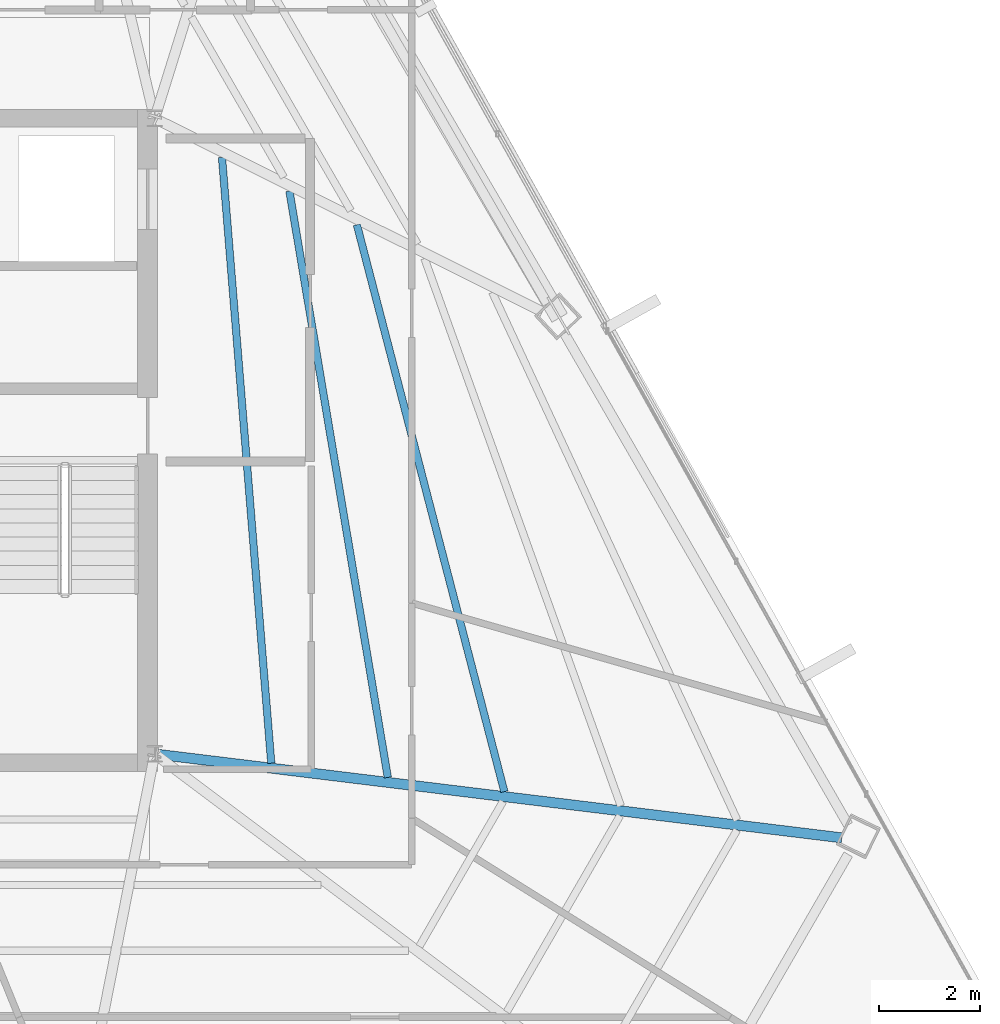
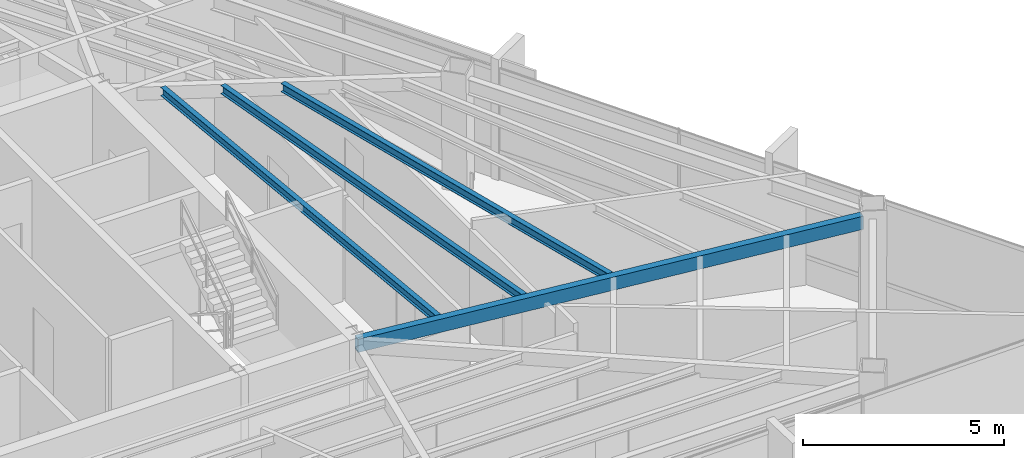
# One storey, part 22 of 45: 4 beams.
"""IFC4 building model written with IfcOpenShell, lengths in metres."""

from ifc_helpers import new_model, si_unit, direction, frame, origin, origin_2d, place, context, subcontext, project, spatial, hollow_rectangle, i_section, extrude, source, transform, mapped, material, material_profile, profile_set, type_object, type_shapes, element, save


model = new_model("IFC4")

# Units and contexts
model_context = context("Model", 3, precision=1e-05, world=origin(), true_north=direction((0.0, 1.0)))
body_context = subcontext(model_context, "Body", "Model", "MODEL_VIEW")
ifc_project = project(units=[si_unit("LENGTHUNIT", "METRE"), si_unit("AREAUNIT", "SQUARE_METRE"), si_unit("VOLUMEUNIT", "CUBIC_METRE"), si_unit("PLANEANGLEUNIT", "RADIAN"), si_unit("MASSUNIT", "GRAM", prefix="KILO")], contexts=[model_context])

# Site, building, storey
site_placement = place(None, origin())
site = spatial("IfcSite", under=ifc_project, at=site_placement, CompositionType="ELEMENT")
building_placement = place(site_placement, origin())
building = spatial("IfcBuilding", under=site, at=building_placement, Name="Caelisora Broadcast Tower", CompositionType="ELEMENT")
storey_placement = place(building_placement, frame((0.0, 0.0, 266.35009765625)))
storey = spatial("IfcBuildingStorey", under=building, at=storey_placement, Name="L70", CompositionType="ELEMENT", Elevation=266.35009765625)

# Beams
ifc_material_1 = material(Name="Steel Grade 350 (AS/NZS 1163 C350L0)", Category="steel")
ifc_material_profile_1 = material_profile(ifc_material_1, hollow_rectangle(XDim=0.199951171875, YDim=0.39990234375, WallThickness=0.012451171875, at=origin_2d()), Name="Steel Grade 350 (AS/NZS 1163 C350L0)")
ifc_profile_set_1 = profile_set([ifc_material_profile_1], Name="Steel Grade 350 (AS/NZS 1163 C350L0)")
beam_type_1 = type_object("IfcBeamType", Name="PG07", PredefinedType="BEAM", material=ifc_profile_set_1)
shared_shape_1 = source(origin(), body_context, "Body", "SweptSolid", [
    extrude(hollow_rectangle(XDim=0.199951171875, YDim=0.39990234375, WallThickness=0.012451171875, at=origin_2d()), origin(), (0.0, 0.0, 1.0), 13.66357421875),
])
type_shapes(beam_type_1, [shared_shape_1])
beam_1_placement = place(storey_placement, frame((45.5595703125, 17.392578125, 3.199951171875), z_axis=(0.992623866495, -0.121234729613, 0.0), x_axis=(0.121234729613, 0.992623866495, 0.0)))
element("IfcBeam", 1, at=beam_1_placement, inside=storey, type_object=beam_type_1, Name="L70 beam PG07", PredefinedType="BEAM", context=body_context, shape_type="MappedRepresentation", body=[
    mapped(shared_shape_1, transform((0.0, 0.0, 0.0), scale=1.0)),
])
ifc_material_2 = material(Name="Steel Grade 350 (AS/NZS 3679.1)", Category="steel")
ifc_material_profile_2 = material_profile(ifc_material_2, i_section(OverallWidth=0.14599609375, OverallDepth=0.256103515625, WebThickness=0.00634765625, FlangeThickness=0.010986328125, at=origin_2d()), Name="Steel Grade 350 (AS/NZS 3679.1)")
ifc_profile_set_2 = profile_set([ifc_material_profile_2], Name="Steel Grade 350 (AS/NZS 3679.1)")
beam_type_2 = type_object("IfcBeamType", Name="SB04", PredefinedType="JOIST", material=ifc_profile_set_2)
shared_shape_2 = source(origin(), body_context, "Body", "SweptSolid", [
    extrude(i_section(OverallWidth=0.14599609375, OverallDepth=0.256103515625, WebThickness=0.00634765625, FlangeThickness=0.010986328125, at=origin_2d()), origin(), (0.0, 0.0, 1.0), 12.04931640625),
])
beam_2_placement = place(storey_placement, frame((47.8115234375, 17.215576171875, 3.271728515625), z_axis=(-0.081066666012, 0.996708681442, 0.0), x_axis=(-0.996708681442, -0.081066666012, 0.0)))
element("IfcBeam", 2, at=beam_2_placement, inside=storey, type_object=beam_type_2, Name="L70 beam SB04", PredefinedType="JOIST", context=body_context, shape_type="MappedRepresentation", body=[
    mapped(shared_shape_2, transform((0.0, 0.0, 0.0), scale=1.0)),
])
shared_shape_3 = source(origin(), body_context, "Body", "SweptSolid", [
    extrude(i_section(OverallWidth=0.14599609375, OverallDepth=0.256103515625, WebThickness=0.00634765625, FlangeThickness=0.010986328125, at=origin_2d()), origin(), (0.0, 0.0, 1.0), 11.787841796875),
])
beam_3_placement = place(storey_placement, frame((50.12255859375, 16.933349609375, 3.271728515625), z_axis=(-0.165564290043, 0.986198999119, 0.0), x_axis=(-0.986198999119, -0.165564290043, 0.0)))
element("IfcBeam", 3, at=beam_3_placement, inside=storey, type_object=beam_type_2, Name="L70 beam SB04", PredefinedType="JOIST", context=body_context, shape_type="MappedRepresentation", body=[
    mapped(shared_shape_3, transform((0.0, 0.0, 0.0), scale=1.0)),
])
shared_shape_4 = source(origin(), body_context, "Body", "SweptSolid", [
    extrude(i_section(OverallWidth=0.14599609375, OverallDepth=0.256103515625, WebThickness=0.00634765625, FlangeThickness=0.010986328125, at=origin_2d()), origin(), (0.0, 0.0, 1.0), 11.61376953125),
])
type_shapes(beam_type_2, [shared_shape_2, shared_shape_3, shared_shape_4])
beam_4_placement = place(storey_placement, frame((52.4326171875, 16.651123046875, 3.271728515625), z_axis=(-0.251754355646, 0.96779116777, 0.0), x_axis=(-0.96779116777, -0.251754355646, 0.0)))
element("IfcBeam", 4, at=beam_4_placement, inside=storey, type_object=beam_type_2, Name="L70 beam SB04", PredefinedType="JOIST", context=body_context, shape_type="MappedRepresentation", body=[
    mapped(shared_shape_4, transform((0.0, 0.0, 0.0), scale=1.0)),
])

save(model, "model.ifc")
